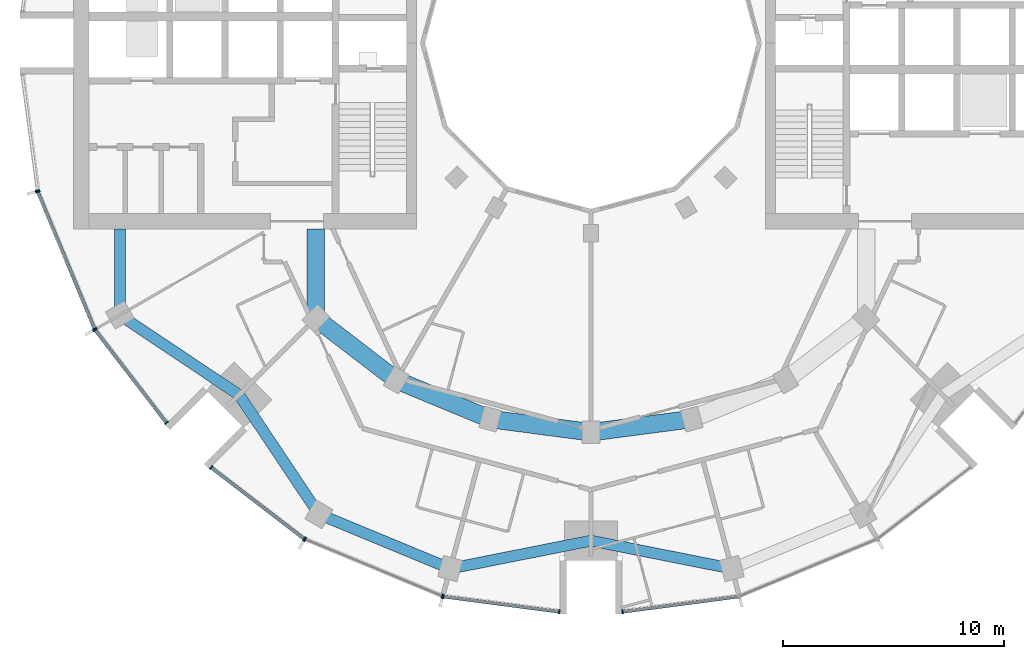
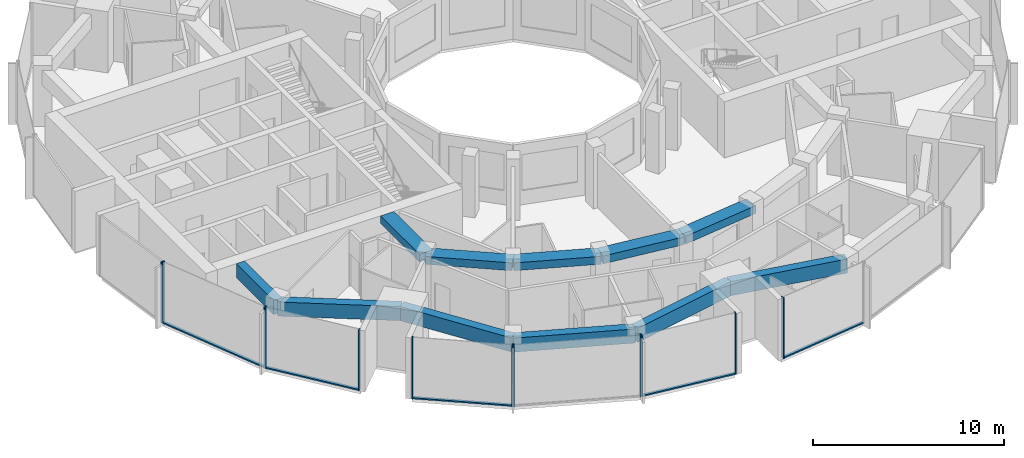
# One storey, part 2 of 15: 17 members, 11 beams, 7 elements without a shape of their own.
"""IFC4 building model written with IfcOpenShell, lengths in metres."""

from ifc_helpers import new_model, si_unit, direction, frame, origin, origin_2d, place, context, subcontext, project, spatial, rectangle, extrude, material, layer, layer_set, material_profile, profile_set, type_object, element, aggregate, save


model = new_model("IFC4")

# Units and contexts
model_context = context("Model", 3, precision=1e-05, world=origin(), true_north=direction((0.0, 1.0)))
body_context = subcontext(model_context, "Body", "Model", "MODEL_VIEW")
ifc_project = project(units=[si_unit("LENGTHUNIT", "METRE"), si_unit("AREAUNIT", "SQUARE_METRE"), si_unit("VOLUMEUNIT", "CUBIC_METRE"), si_unit("PLANEANGLEUNIT", "RADIAN"), si_unit("MASSUNIT", "GRAM", prefix="KILO")], contexts=[model_context])

# Site, building, storey
site_placement = place(None, origin())
site = spatial("IfcSite", under=ifc_project, at=site_placement, CompositionType="ELEMENT")
building_placement = place(site_placement, origin())
building = spatial("IfcBuilding", under=site, at=building_placement, Name="Torre Brocal", CompositionType="ELEMENT")
storey_placement = place(building_placement, frame((0.0, 0.0, 134.10009765625)))
storey = spatial("IfcBuildingStorey", under=building, at=storey_placement, Name="L31", CompositionType="ELEMENT", Elevation=134.10009765625)

# Curtain wall, members
ifc_material_1 = material(Name="Aluminium and glass", Category="aluminium")
ifc_layer_1 = layer(ifc_material_1, 0.199951171875)
ifc_layer_set_1 = layer_set([ifc_layer_1], Name="Aluminium and glass")
curtain_wall_type_1 = type_object("IfcCurtainWallType", Name="CW-1 CURTAIN WALL 3900 HIGH", PredefinedType="NOTDEFINED", material=ifc_layer_set_1)
curtain_wall_1_placement = place(storey_placement, origin())
curtain_wall_1 = element("IfcCurtainWall", 1, at=curtain_wall_1_placement, inside=storey, type_object=curtain_wall_type_1, Name="CW-1 RUN 14", PredefinedType="NOTDEFINED")
ifc_material_2 = material(Name="Aluminium, dark anodised", Category="aluminium")
ifc_material_profile_1 = material_profile(ifc_material_2, rectangle(XDim=0.199951171875, YDim=0.06005859375, at=origin_2d()), Name="CW-1 MULLION 60X200")
ifc_profile_set_1 = profile_set([ifc_material_profile_1], Name="Aluminium, dark anodised")
member_type_1 = type_object("IfcMemberType", Name="CW-1 MULLION 60X200", PredefinedType="MULLION", material=ifc_profile_set_1)
member_1_placement = place(storey_placement, frame((54.994873046875, 68.26904296875, 0.0), z_axis=(0.0, 0.0, 1.0), x_axis=(0.923879532525, 0.382683432333, 0.0)))
member_1 = element("IfcMember", 2, at=member_1_placement, type_object=member_type_1, Name="CW1-3 mullion 1", PredefinedType="MULLION", context=body_context, shape_type="SweptSolid", body=[
    extrude(rectangle(XDim=0.199951171875, YDim=0.06005859375, at=origin_2d()), origin(), (0.0, 0.0, 1.0), 3.89990234375),
])
member_2_placement = place(storey_placement, frame((57.559326171875, 62.078125, 0.0), z_axis=(0.0, 0.0, 1.0), x_axis=(0.923879532525, 0.382683432333, 0.0)))
member_2 = element("IfcMember", 3, at=member_2_placement, type_object=member_type_1, Name="CW1-3 mullion 2", PredefinedType="MULLION", context=body_context, shape_type="SweptSolid", body=[
    extrude(rectangle(XDim=0.199951171875, YDim=0.06005859375, at=origin_2d()), origin(), (0.0, 0.0, 1.0), 3.89990234375),
])

curtain_wall_2_placement = place(storey_placement, origin())
curtain_wall_2 = element("IfcCurtainWall", 4, at=curtain_wall_2_placement, inside=storey, type_object=curtain_wall_type_1, Name="CW-1 RUN 15", PredefinedType="NOTDEFINED")
member_3_placement = place(storey_placement, frame((57.5888671875, 62.026611328125, 0.0), z_axis=(0.0, 0.0, 1.0), x_axis=(0.793353340259, 0.60876142905, 0.0)))
member_3 = element("IfcMember", 5, at=member_3_placement, type_object=member_type_1, Name="CW1-3 mullion 1", PredefinedType="MULLION", context=body_context, shape_type="SweptSolid", body=[
    extrude(rectangle(XDim=0.199951171875, YDim=0.06005859375, at=origin_2d()), origin(), (0.0, 0.0, 1.0), 3.89990234375),
])
member_4_placement = place(storey_placement, frame((60.80859375, 57.83056640625, 0.0), z_axis=(0.0, 0.0, 1.0), x_axis=(0.793353340259, 0.60876142905, 0.0)))
member_4 = element("IfcMember", 6, at=member_4_placement, type_object=member_type_1, Name="CW1-3 mullion 2", PredefinedType="MULLION", context=body_context, shape_type="SweptSolid", body=[
    extrude(rectangle(XDim=0.199951171875, YDim=0.06005859375, at=origin_2d()), origin(), (0.0, 0.0, 1.0), 3.89990234375),
])

curtain_wall_3_placement = place(storey_placement, origin())
curtain_wall_3 = element("IfcCurtainWall", 7, at=curtain_wall_3_placement, inside=storey, type_object=curtain_wall_type_1, Name="CW-1 RUN 16", PredefinedType="NOTDEFINED")
member_5_placement = place(storey_placement, frame((62.83056640625, 55.80859375, 0.0), z_axis=(0.0, 0.0, 1.0), x_axis=(0.60876142905, 0.793353340259, 0.0)))
member_5 = element("IfcMember", 8, at=member_5_placement, type_object=member_type_1, Name="CW1-3 mullion 1", PredefinedType="MULLION", context=body_context, shape_type="SweptSolid", body=[
    extrude(rectangle(XDim=0.199951171875, YDim=0.06005859375, at=origin_2d()), origin(), (0.0, 0.0, 1.0), 3.89990234375),
])
member_6_placement = place(storey_placement, frame((67.026611328125, 52.5888671875, 0.0), z_axis=(0.0, 0.0, 1.0), x_axis=(0.60876142905, 0.793353340259, 0.0)))
member_6 = element("IfcMember", 9, at=member_6_placement, type_object=member_type_1, Name="CW1-3 mullion 2", PredefinedType="MULLION", context=body_context, shape_type="SweptSolid", body=[
    extrude(rectangle(XDim=0.199951171875, YDim=0.06005859375, at=origin_2d()), origin(), (0.0, 0.0, 1.0), 3.89990234375),
])

curtain_wall_4_placement = place(storey_placement, origin())
curtain_wall_4 = element("IfcCurtainWall", 10, at=curtain_wall_4_placement, inside=storey, type_object=curtain_wall_type_1, Name="CW-1 RUN 17", PredefinedType="NOTDEFINED")
member_7_placement = place(storey_placement, frame((67.078125, 52.559326171875, 0.0), z_axis=(0.0, 0.0, 1.0), x_axis=(0.382683432333, 0.923879532525, 0.0)))
member_7 = element("IfcMember", 11, at=member_7_placement, type_object=member_type_1, Name="CW1-3 mullion 1", PredefinedType="MULLION", context=body_context, shape_type="SweptSolid", body=[
    extrude(rectangle(XDim=0.199951171875, YDim=0.06005859375, at=origin_2d()), origin(), (0.0, 0.0, 1.0), 3.89990234375),
])
member_8_placement = place(storey_placement, frame((73.26904296875, 49.994873046875, 0.0), z_axis=(0.0, 0.0, 1.0), x_axis=(0.382683432333, 0.923879532525, 0.0)))
member_8 = element("IfcMember", 12, at=member_8_placement, type_object=member_type_1, Name="CW1-3 mullion 2", PredefinedType="MULLION", context=body_context, shape_type="SweptSolid", body=[
    extrude(rectangle(XDim=0.199951171875, YDim=0.06005859375, at=origin_2d()), origin(), (0.0, 0.0, 1.0), 3.89990234375),
])
aggregate(curtain_wall_4, [member_7, member_8])

curtain_wall_5_placement = place(storey_placement, origin())
curtain_wall_5 = element("IfcCurtainWall", 13, at=curtain_wall_5_placement, inside=storey, type_object=curtain_wall_type_1, Name="CW-1 RUN 18", PredefinedType="NOTDEFINED")
member_9_placement = place(storey_placement, frame((73.32666015625, 49.9794921875, 0.0), z_axis=(0.0, 0.0, 1.0), x_axis=(0.13052619222, 0.991444861374, 0.0)))
member_9 = element("IfcMember", 14, at=member_9_placement, type_object=member_type_1, Name="CW1-3 mullion 1", PredefinedType="MULLION", context=body_context, shape_type="SweptSolid", body=[
    extrude(rectangle(XDim=0.199951171875, YDim=0.06005859375, at=origin_2d()), origin(), (0.0, 0.0, 1.0), 3.89990234375),
])
member_10_placement = place(storey_placement, frame((78.5703125, 49.2890625, 0.0), z_axis=(0.0, 0.0, 1.0), x_axis=(0.13052619222, 0.991444861374, 0.0)))
member_10 = element("IfcMember", 15, at=member_10_placement, type_object=member_type_1, Name="CW1-3 mullion 2", PredefinedType="MULLION", context=body_context, shape_type="SweptSolid", body=[
    extrude(rectangle(XDim=0.199951171875, YDim=0.06005859375, at=origin_2d()), origin(), (0.0, 0.0, 1.0), 3.89990234375),
])

# Curtain wall, member
curtain_wall_6_placement = place(storey_placement, origin())
curtain_wall_6 = element("IfcCurtainWall", 16, at=curtain_wall_6_placement, inside=storey, type_object=curtain_wall_type_1, Name="CW-1 RUN 19", PredefinedType="NOTDEFINED")
member_11_placement = place(storey_placement, frame((81.4296875, 49.2890625, 0.0), z_axis=(0.0, 0.0, 1.0), x_axis=(-0.13052619222, 0.991444861374, 0.0)))
member_11 = element("IfcMember", 17, at=member_11_placement, type_object=member_type_1, Name="CW1-3 mullion 1", PredefinedType="MULLION", context=body_context, shape_type="SweptSolid", body=[
    extrude(rectangle(XDim=0.199951171875, YDim=0.06005859375, at=origin_2d()), origin(), (0.0, 0.0, 1.0), 3.89990234375),
])

# Member
ifc_material_3 = material(Name="Aluminium, dark anodised", Category="aluminium")
ifc_material_profile_2 = material_profile(ifc_material_3, rectangle(XDim=0.159912109375, YDim=0.080078125, at=origin_2d()), Name="CW-1 TRANSOM 160X80")
ifc_profile_set_2 = profile_set([ifc_material_profile_2], Name="Aluminium, dark anodised")
member_type_2 = type_object("IfcMemberType", Name="CW-1 TRANSOM 160X80", PredefinedType="USERDEFINED", material=ifc_profile_set_2)
member_12_placement = place(storey_placement, frame((55.00634765625, 68.241455078125, 0.039794921875), z_axis=(0.38266457234, -0.923887344364, 0.0), x_axis=(0.923887344364, 0.38266457234, 0.0)))
member_12 = element("IfcMember", 18, at=member_12_placement, type_object=member_type_2, Name="CW1-3 transom 1.1", ObjectType="TRANSOM", PredefinedType="USERDEFINED", context=body_context, shape_type="SweptSolid", body=[
    extrude(rectangle(XDim=0.159912109375, YDim=0.080078125, at=origin_2d()), origin(), (0.0, 0.0, 1.0), 6.640869140625),
])

aggregate(curtain_wall_1, [member_1, member_2, member_12])

member_13_placement = place(storey_placement, frame((57.607177734375, 62.0029296875, 0.039794921875), z_axis=(0.60874908096, -0.79336281513, 0.0), x_axis=(0.79336281513, 0.60874908096, 0.0)))
member_13 = element("IfcMember", 19, at=member_13_placement, type_object=member_type_2, Name="CW1-3 transom 1.1", ObjectType="TRANSOM", PredefinedType="USERDEFINED", context=body_context, shape_type="SweptSolid", body=[
    extrude(rectangle(XDim=0.159912109375, YDim=0.080078125, at=origin_2d()), origin(), (0.0, 0.0, 1.0), 5.22900390625),
])

aggregate(curtain_wall_2, [member_3, member_4, member_13])

member_14_placement = place(storey_placement, frame((62.8544921875, 55.790283203125, 0.039794921875), z_axis=(0.79336281513, -0.60874908096, 0.0), x_axis=(0.60874908096, 0.79336281513, 0.0)))
member_14 = element("IfcMember", 20, at=member_14_placement, type_object=member_type_2, Name="CW1-3 transom 1.1", ObjectType="TRANSOM", PredefinedType="USERDEFINED", context=body_context, shape_type="SweptSolid", body=[
    extrude(rectangle(XDim=0.159912109375, YDim=0.080078125, at=origin_2d()), origin(), (0.0, 0.0, 1.0), 5.22900390625),
])

aggregate(curtain_wall_3, [member_5, member_6, member_14])

member_15_placement = place(storey_placement, frame((73.356201171875, 49.9755859375, 0.039794921875), z_axis=(0.991442690863, -0.130542677827, 0.0), x_axis=(0.130542677827, 0.991442690863, 0.0)))
member_15 = element("IfcMember", 21, at=member_15_placement, type_object=member_type_2, Name="CW1-3 transom 1.1", ObjectType="TRANSOM", PredefinedType="USERDEFINED", context=body_context, shape_type="SweptSolid", body=[
    extrude(rectangle(XDim=0.159912109375, YDim=0.080078125, at=origin_2d()), origin(), (0.0, 0.0, 1.0), 5.22900390625),
])

aggregate(curtain_wall_5, [member_9, member_10, member_15])

member_16_placement = place(storey_placement, frame((81.45947265625, 49.29296875, 0.039794921875), z_axis=(0.991442690863, 0.130542677827, 0.0), x_axis=(-0.130542677827, 0.991442690863, 0.0)))
member_16 = element("IfcMember", 22, at=member_16_placement, type_object=member_type_2, Name="CW1-3 transom 1.1", ObjectType="TRANSOM", PredefinedType="USERDEFINED", context=body_context, shape_type="SweptSolid", body=[
    extrude(rectangle(XDim=0.159912109375, YDim=0.080078125, at=origin_2d()), origin(), (0.0, 0.0, 1.0), 5.22900390625),
])

aggregate(curtain_wall_6, [member_11, member_16])

# Curtain wall, member
ifc_material_4 = material(Name="Aluminium and glass", Category="aluminium")
ifc_layer_2 = layer(ifc_material_4, 0.199951171875)
ifc_layer_set_2 = layer_set([ifc_layer_2], Name="Aluminium and glass")
curtain_wall_type_2 = type_object("IfcCurtainWallType", Name="CW-1B CURTAIN WALL 3900 HIGH", PredefinedType="NOTDEFINED", material=ifc_layer_set_2)
curtain_wall_7_placement = place(storey_placement, origin())
curtain_wall_7 = element("IfcCurtainWall", 23, at=curtain_wall_7_placement, inside=storey, type_object=curtain_wall_type_2, Name="CW-1B RUN 13", PredefinedType="NOTDEFINED")
ifc_material_5 = material(Name="Aluminium, dark anodised", Category="aluminium")
ifc_material_profile_3 = material_profile(ifc_material_5, rectangle(XDim=0.199951171875, YDim=0.06005859375, at=origin_2d()), Name="CW-1B MULLION 60X200")
ifc_profile_set_3 = profile_set([ifc_material_profile_3], Name="Aluminium, dark anodised")
member_type_3 = type_object("IfcMemberType", Name="CW-1B MULLION 60X200", PredefinedType="MULLION", material=ifc_profile_set_3)
member_17_placement = place(storey_placement, frame((54.9794921875, 68.32666015625, 0.0), z_axis=(0.0, 0.0, 1.0), x_axis=(0.991444861374, 0.13052619222, 0.0)))
member_17 = element("IfcMember", 24, at=member_17_placement, type_object=member_type_3, Name="CW1B-3 mullion 2", PredefinedType="MULLION", context=body_context, shape_type="SweptSolid", body=[
    extrude(rectangle(XDim=0.199951171875, YDim=0.06005859375, at=origin_2d()), origin(), (0.0, 0.0, 1.0), 3.89990234375),
])
aggregate(curtain_wall_7, [member_17])

# Beams
ifc_material_6 = material(Name="Concrete C50", Category="concrete")
ifc_material_profile_4 = material_profile(ifc_material_6, rectangle(XDim=0.800048828125, YDim=0.5, at=origin_2d()), Name="RC 800X500")
ifc_profile_set_4 = profile_set([ifc_material_profile_4], Name="Concrete C50")
beam_type_1 = type_object("IfcBeamType", Name="RC BEAM 800X500 C50 TOP 3580", PredefinedType="BEAM", material=ifc_profile_set_4)
beam_1_placement = place(storey_placement, frame((67.554931640625, 62.554931640625, 3.329833984375), z_axis=(0.0, 1.0, 0.0), x_axis=(-1.0, 0.0, 0.0)))
element("IfcBeam", 25, at=beam_1_placement, inside=storey, type_object=beam_type_1, Name="Beam BT-28", PredefinedType="BEAM", context=body_context, shape_type="SweptSolid", body=[
    extrude(rectangle(XDim=0.800048828125, YDim=0.5, at=origin_2d()), origin(), (0.0, 0.0, 1.0), 4.045166015625),
])
beam_2_placement = place(storey_placement, frame((67.554931640625, 62.554931640625, 3.329833984375), z_axis=(0.793358265959, -0.6087550097, 0.0), x_axis=(0.6087550097, 0.793358265959, 0.0)))
element("IfcBeam", 26, at=beam_2_placement, inside=storey, type_object=beam_type_1, Name="Beam BT-28", PredefinedType="BEAM", context=body_context, shape_type="SweptSolid", body=[
    extrude(rectangle(XDim=0.800048828125, YDim=0.5, at=origin_2d()), origin(), (0.0, 0.0, 1.0), 4.594482421875),
])
beam_3_placement = place(storey_placement, frame((71.199951171875, 59.758056640625, 3.329833984375), z_axis=(0.923878240166, -0.382686552348, 0.0), x_axis=(0.382686552348, 0.923878240166, 0.0)))
element("IfcBeam", 27, at=beam_3_placement, inside=storey, type_object=beam_type_1, Name="Beam BT-28", PredefinedType="BEAM", context=body_context, shape_type="SweptSolid", body=[
    extrude(rectangle(XDim=0.800048828125, YDim=0.5, at=origin_2d()), origin(), (0.0, 0.0, 1.0), 4.5947265625),
])
for number, where, z_axis, x_axis, name in (
    (28, (75.44482421875, 57.999755859375, 3.329833984375), (0.991440544449, -0.130558978332, 0.0), (0.130558978332, 0.991440544449, 0.0), "Beam BT-28"),
    (29, (80.0, 57.39990234375, 3.329833984375), (0.991440544449, 0.130558978332, 0.0), (-0.130558978332, 0.991440544449, 0.0), "Beam BT-28"),
):
    element("IfcBeam", number, at=place(storey_placement, frame(where, z_axis=z_axis, x_axis=x_axis)), inside=storey, type_object=beam_type_1, Name=name, PredefinedType="BEAM", context=body_context, shape_type="SweptSolid", body=[
        extrude(rectangle(XDim=0.800048828125, YDim=0.5, at=origin_2d()), origin(), (0.0, 0.0, 1.0), 4.594482421875),
    ])
ifc_material_7 = material(Name="Concrete C50", Category="concrete")
ifc_material_profile_5 = material_profile(ifc_material_7, rectangle(XDim=0.5, YDim=0.89990234375, at=origin_2d()), Name="RC 500X900")
ifc_profile_set_5 = profile_set([ifc_material_profile_5], Name="Concrete C50")
beam_type_2 = type_object("IfcBeamType", Name="RC SPANDREL BEAM 500X900 C50 TOP 3580", PredefinedType="SPANDREL", material=ifc_profile_set_5)
beam_4_placement = place(storey_placement, frame((58.69580078125, 62.699951171875, 3.1298828125), z_axis=(0.0, 1.0, 0.0), x_axis=(-1.0, 0.0, 0.0)))
element("IfcBeam", 30, at=beam_4_placement, inside=storey, type_object=beam_type_2, Name="Beam BT-29", PredefinedType="SPANDREL", context=body_context, shape_type="SweptSolid", body=[
    extrude(rectangle(XDim=0.5, YDim=0.89990234375, at=origin_2d()), origin(), (0.0, 0.0, 1.0), 3.900146484375),
])
for number, where, z_axis, x_axis, name in (
    (31, (58.69580078125, 62.699951171875, 3.1298828125), (0.831076844476, -0.556157602282, 0.0), (0.556157602282, 0.831076844476, 0.0), "Beam BT-29"),
    (32, (64.090087890625, 59.090087890625, 3.1298828125), (0.556157602282, -0.831076844476, 0.0), (0.831076844476, 0.556157602282, 0.0), "Beam BT-29"),
):
    element("IfcBeam", number, at=place(storey_placement, frame(where, z_axis=z_axis, x_axis=x_axis)), inside=storey, type_object=beam_type_2, Name=name, PredefinedType="SPANDREL", context=body_context, shape_type="SweptSolid", body=[
        extrude(rectangle(XDim=0.5, YDim=0.89990234375, at=origin_2d()), origin(), (0.0, 0.0, 1.0), 6.49072265625),
    ])
beam_5_placement = place(storey_placement, frame((67.699951171875, 53.69580078125, 3.1298828125), z_axis=(0.923882462513, -0.382676358639, 0.0), x_axis=(0.382676358639, 0.923882462513, 0.0)))
element("IfcBeam", 33, at=beam_5_placement, inside=storey, type_object=beam_type_2, Name="Beam BT-29", PredefinedType="SPANDREL", context=body_context, shape_type="SweptSolid", body=[
    extrude(rectangle(XDim=0.5, YDim=0.89990234375, at=origin_2d()), origin(), (0.0, 0.0, 1.0), 6.421875),
])
for number, where, z_axis, x_axis, name in (
    (34, (73.633056640625, 51.23828125, 3.1298828125), (0.980924907484, 0.194387051723, 0.0), (-0.194387051723, 0.980924907484, 0.0), "Beam BT-29"),
    (35, (80.0, 52.5, 3.1298828125), (0.980924907484, -0.194387051723, 0.0), (0.194387051723, 0.980924907484, 0.0), "Beam BT-29"),
):
    element("IfcBeam", number, at=place(storey_placement, frame(where, z_axis=z_axis, x_axis=x_axis)), inside=storey, type_object=beam_type_2, Name=name, PredefinedType="SPANDREL", context=body_context, shape_type="SweptSolid", body=[
        extrude(rectangle(XDim=0.5, YDim=0.89990234375, at=origin_2d()), origin(), (0.0, 0.0, 1.0), 6.49072265625),
    ])

save(model, "model.ifc")
